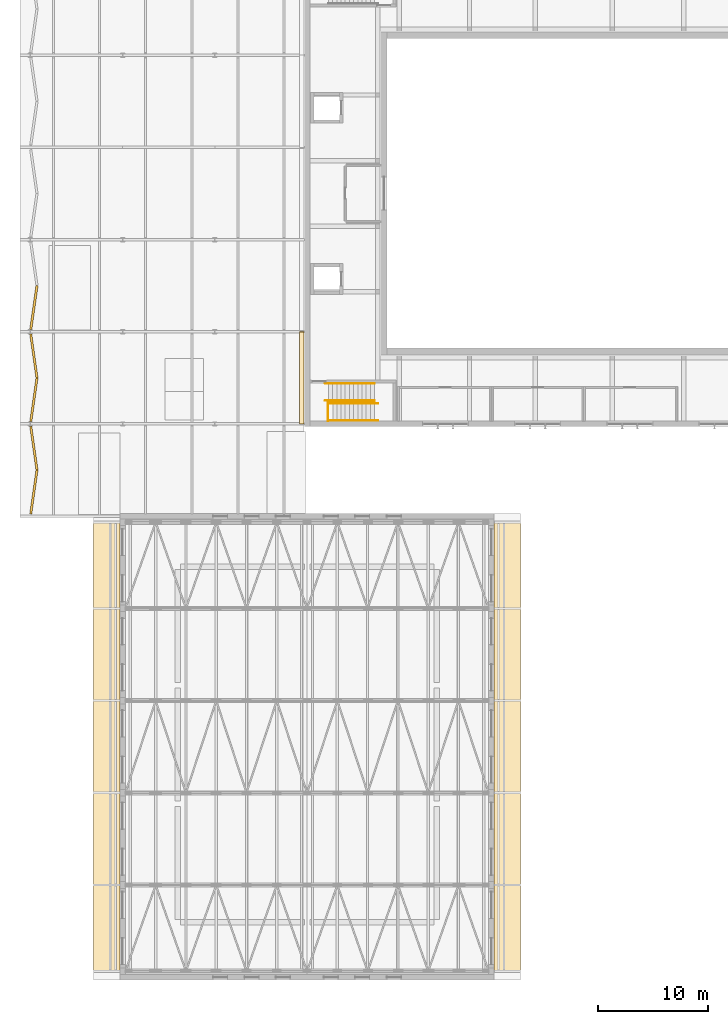
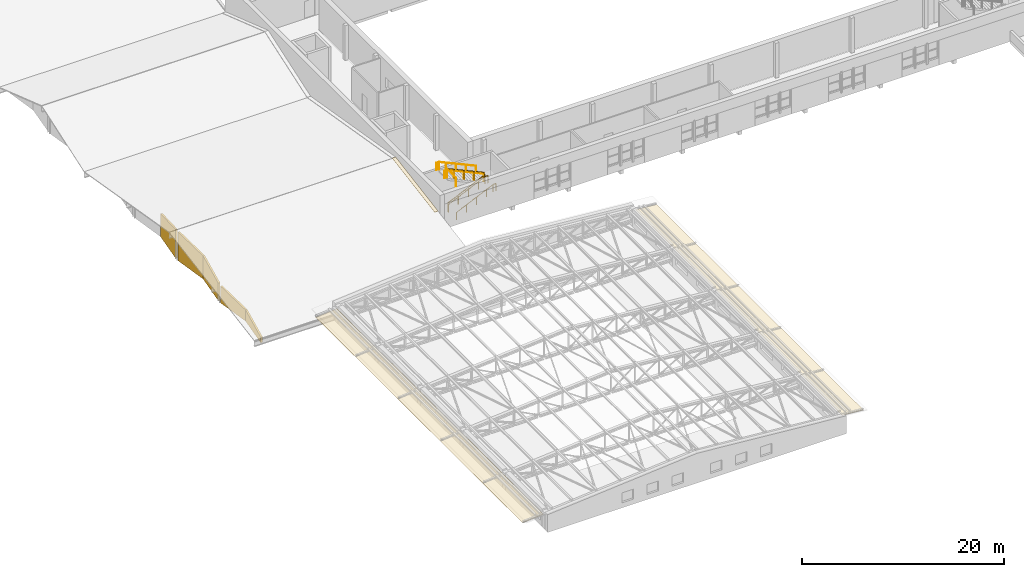
# One storey, part 54 of 60: 8 coverings, 7 railings.
"""IFC4 building model written with IfcOpenShell, lengths in metres."""

from ifc_helpers import new_model, si_unit, direction, frame, origin, origin_2d, place, context, subcontext, project, spatial, polyline, circle, outline, extrude, material, layer, layer_set, type_object, element, save


model = new_model("IFC4")

# Units and contexts
model_context = context("Model", 3, precision=1e-05, world=origin(), true_north=direction((0.0, 1.0)))
body_context = subcontext(model_context, "Body", "Model", "MODEL_VIEW")
ifc_project = project(units=[si_unit("LENGTHUNIT", "METRE"), si_unit("AREAUNIT", "SQUARE_METRE"), si_unit("VOLUMEUNIT", "CUBIC_METRE"), si_unit("PLANEANGLEUNIT", "RADIAN"), si_unit("MASSUNIT", "GRAM", prefix="KILO")], contexts=[model_context])

# Site, building, storey
site_placement = place(None, origin())
site = spatial("IfcSite", under=ifc_project, at=site_placement, CompositionType="ELEMENT")
building_placement = place(site_placement, origin())
building = spatial("IfcBuilding", under=site, at=building_placement, Name="Ljudholm Concert House", CompositionType="ELEMENT")
storey_placement = place(building_placement, frame((0.0, 0.0, 15.0)))
storey = spatial("IfcBuildingStorey", under=building, at=storey_placement, Name="L03", CompositionType="ELEMENT", Elevation=15.0)

# Coverings
ifc_material_1 = material(Name="Aluminium flashing", Category="aluminium")
ifc_layer_1 = layer(ifc_material_1, 0.0400390625)
ifc_layer_set_1 = layer_set([ifc_layer_1], Name="Aluminium flashing")
covering_type_1 = type_object("IfcCoveringType", Name="ALUMINIUM FLASHING ROOF COVERING 40", PredefinedType="ROOFING", material=ifc_layer_set_1)
covering_1_placement = place(storey_placement, frame((28.5, 54.39990234375, 2.2060546875), z_axis=(0.0, -0.168258440094, 0.985742916453), x_axis=(1.0, 0.0, 0.0)))
element("IfcCovering", 1, at=covering_1_placement, inside=storey, type_object=covering_type_1, Name="Wall flashing", PredefinedType="ROOFING", context=body_context, shape_type="SweptSolid", body=[
    extrude(outline(polyline([(0.0, 0.0), (0.39990234375, 0.0), (0.39990234375, 8.521640220963898), (0.0, 8.521640220963898), (0.0, 0.0)])), origin(), (0.0, 0.0, -1.0), 0.0400390625),
])
ifc_material_2 = material(Name="Aluminium panels with timber-grain PVDF finish", Category="aluminium")
ifc_layer_2 = layer(ifc_material_2, 0.199951171875)
ifc_layer_set_2 = layer_set([ifc_layer_2], Name="Aluminium panels with timber-grain PVDF finish")
covering_type_2 = type_object("IfcCoveringType", Name="ALUMINIUM PANELS WITH TIMBER-GRAIN PVDF FINISH CLADDING 200", PredefinedType="CLADDING", material=ifc_layer_set_2)
covering_2_placement = place(storey_placement, frame((4.031005859375, 46.2177734375, -15.0), z_axis=(0.0, 0.0, 1.0), x_axis=(0.141421356235, 0.989949493662, 0.0)))
element("IfcCovering", 2, at=covering_2_placement, inside=storey, type_object=covering_type_2, Name="Gable end cladding", PredefinedType="CLADDING", context=body_context, shape_type="SweptSolid", body=[
    extrude(outline(polyline([(0.0, 15.0), (4.022705078125, 15.0), (4.022705078125, 16.34765625), (0.0, 15.667724609375), (0.0, 15.0)])), frame((0.0, 0.10009765625, 0.0), z_axis=(0.0, -1.0, 0.0), x_axis=(1.0, 0.0, 0.0)), (0.0, 0.0, 1.0), 0.199951171875),
])
covering_3_placement = place(storey_placement, frame((4.031005859375, 54.18212890625, -15.0), z_axis=(0.0, 0.0, 1.0), x_axis=(0.141421356235, -0.989949493662, 0.0)))
element("IfcCovering", 3, at=covering_3_placement, inside=storey, type_object=covering_type_2, Name="Gable end cladding", PredefinedType="CLADDING", context=body_context, shape_type="SweptSolid", body=[
    extrude(outline(polyline([(0.0, 15.0), (4.022705078125, 15.0), (4.022705078125, 16.34765625), (0.0, 17.02734375), (0.0, 15.0)])), frame((0.0, 0.10009765625, 0.0), z_axis=(0.0, -1.0, 0.0), x_axis=(1.0, 0.0, 0.0)), (0.0, 0.0, 1.0), 0.199951171875),
])
covering_4_placement = place(storey_placement, frame((4.031005859375, 54.61767578125, -15.0), z_axis=(0.0, 0.0, 1.0), x_axis=(0.141421356235, 0.989949493662, 0.0)))
element("IfcCovering", 4, at=covering_4_placement, inside=storey, type_object=covering_type_2, Name="Gable end cladding", PredefinedType="CLADDING", context=body_context, shape_type="SweptSolid", body=[
    extrude(outline(polyline([(0.0, 15.0), (4.022705078125, 15.0), (4.022705078125, 17.781494140625), (0.0, 17.101806640625), (0.0, 15.0)])), frame((0.0, 0.10009765625, 0.0), z_axis=(0.0, -1.0, 0.0), x_axis=(1.0, 0.0, 0.0)), (0.0, 0.0, 1.0), 0.199951171875),
])
for number, where, z_axis, x_axis, name in (
    (5, (4.031005859375, 62.582275390625, -15.0), (0.0, 0.0, 1.0), (0.141421356235, -0.989949493662, 0.0), "Gable end cladding"),
    (6, (4.031005859375, 63.017822265625, -15.0), (0.0, 0.0, 1.0), (0.141421356235, 0.989949493662, 0.0), "Gable end cladding"),
):
    element("IfcCovering", number, at=place(storey_placement, frame(where, z_axis=z_axis, x_axis=x_axis)), inside=storey, type_object=covering_type_2, Name=name, PredefinedType="CLADDING", context=body_context, shape_type="SweptSolid", body=[
        extrude(outline(polyline([(0.0, 15.0), (4.022705078125, 15.0), (4.022705078125, 17.781494140625), (0.0, 18.46142578125), (0.0, 15.0)])), frame((0.0, 0.10009765625, 0.0), z_axis=(0.0, -1.0, 0.0), x_axis=(1.0, 0.0, 0.0)), (0.0, 0.0, 1.0), 0.199951171875),
    ])
ifc_material_3 = material(Name="Aluminium soffit panels, timber-grain PVDF finish", Category="aluminium")
ifc_layer_3 = layer(ifc_material_3, 0.030029296875)
ifc_layer_set_3 = layer_set([ifc_layer_3], Name="Aluminium soffit panels, timber-grain PVDF finish")
covering_type_3 = type_object("IfcCoveringType", Name="ALUMINIUM SOFFIT PANELS, TIMBER-GRAIN PVDF FINISH CEILING 30", PredefinedType="CEILING", material=ifc_layer_set_3)
for number, where, z_axis, x_axis, name in (
    (7, (9.75, 4.550048828125, 1.529296875), (-0.084236667304, 0.0, 0.996445775686), (0.996445775686, 0.0, 0.084236667304), "Eave soffit"),
    (8, (46.25, 4.550048828125, 1.732177734375), (0.084236667304, 0.0, 0.996445775686), (0.996445775686, 0.0, -0.084236667304), "Eave soffit"),
):
    element("IfcCovering", number, at=place(storey_placement, frame(where, z_axis=z_axis, x_axis=x_axis)), inside=storey, type_object=covering_type_3, Name=name, PredefinedType="CEILING", context=body_context, shape_type="SweptSolid", body=[
        extrude(outline(polyline([(0.0, 0.0), (2.4084625599409852, 0.0), (2.4084625599409852, 40.89990234375), (0.0, 40.89990234375), (0.0, 0.0)])), origin(), (0.0, 0.0, -1.0), 0.030029296875),
    ])

# Railings
ifc_material_4 = material(Name="Steel ASTM A36", Category="steel")
railing_type_1 = type_object("IfcRailingType", Name="GUARD 1100", PredefinedType="GUARDRAIL", material=ifc_material_4)
railing_1_placement = place(storey_placement, frame((31.14990234375, 56.324951171875, 0.175048828125)))
element("IfcRailing", 9, at=railing_1_placement, inside=storey, type_object=railing_type_1, Name="Guard", PredefinedType="GUARDRAIL", context=body_context, shape_type="SweptSolid", body=[
    extrude(circle(Radius=0.02490234375, at=origin_2d()), frame((0.0, 0.0, 1.0751953125), z_axis=(0.909101513409, 0.0, 0.416574649154), x_axis=(0.0, 1.0, 0.0)), (0.0, 0.0, 1.0), 1.260009765625),
    extrude(circle(Radius=0.02490234375, at=origin_2d()), frame((1.1455078125, 0.0, 1.60009765625), z_axis=(0.909028128292, 0.0, 0.416734762139), x_axis=(0.0, 1.0, 0.0)), (0.0, 0.0, 1.0), 1.26025390625),
    extrude(circle(Radius=0.02490234375, at=origin_2d()), frame((2.291015625, 0.0, 2.125), z_axis=(0.909101513409, 0.0, 0.416574649154), x_axis=(0.0, 1.0, 0.0)), (0.0, 0.0, 1.0), 1.260009765625),
    extrude(circle(Radius=0.02490234375, at=origin_2d()), frame((3.4365234375, 0.0, 2.64990234375), z_axis=(0.909028128292, 0.0, 0.416734762139), x_axis=(0.0, 1.0, 0.0)), (0.0, 0.0, 1.0), 0.840087890625),
    extrude(circle(Radius=0.02099609375, at=origin_2d()), origin(), (0.0, 0.0, 1.0), 1.050048828125),
    extrude(circle(Radius=0.02099609375, at=origin_2d()), frame((1.1455078125, 0.0, 0.52490234375)), (0.0, 0.0, 1.0), 1.050048828125),
    extrude(circle(Radius=0.02099609375, at=origin_2d()), frame((2.291015625, 0.0, 1.050048828125)), (0.0, 0.0, 1.0), 1.050048828125),
    extrude(circle(Radius=0.02099609375, at=origin_2d()), frame((3.4365234375, 0.0, 1.574951171875)), (0.0, 0.0, 1.0), 1.050048828125),
    extrude(circle(Radius=0.02099609375, at=origin_2d()), frame((4.2001953125, 0.0, 1.925048828125)), (0.0, 0.0, 1.0), 1.050048828125),
])
railing_2_placement = place(storey_placement, frame((35.35009765625, 56.47509765625, 2.27490234375)))
element("IfcRailing", 10, at=railing_2_placement, inside=storey, type_object=railing_type_1, Name="Guard", PredefinedType="GUARDRAIL", context=body_context, shape_type="SweptSolid", body=[
    extrude(circle(Radius=0.02490234375, at=origin_2d()), frame((0.0, 0.0, 1.0751953125), z_axis=(-0.909028128292, 0.0, 0.416734762139), x_axis=(0.0, -1.0, 0.0)), (0.0, 0.0, 1.0), 1.26025390625),
    extrude(circle(Radius=0.02490234375, at=origin_2d()), frame((-1.1455078125, 0.0, 1.60009765625), z_axis=(-0.909101513409, 0.0, 0.416574649154), x_axis=(0.0, -1.0, 0.0)), (0.0, 0.0, 1.0), 1.260009765625),
    extrude(circle(Radius=0.02490234375, at=origin_2d()), frame((-2.291015625, 0.0, 2.125), z_axis=(-0.909028128292, 0.0, 0.416734762139), x_axis=(0.0, -1.0, 0.0)), (0.0, 0.0, 1.0), 1.26025390625),
    extrude(circle(Radius=0.02490234375, at=origin_2d()), frame((-3.4365234375, 0.0, 2.650390625), z_axis=(-0.909138199833, 0.0, 0.416494578121), x_axis=(0.0, -1.0, 0.0)), (0.0, 0.0, 1.0), 0.840087890625),
    extrude(circle(Radius=0.02099609375, at=origin_2d()), origin(), (0.0, 0.0, 1.0), 1.050048828125),
    extrude(circle(Radius=0.02099609375, at=origin_2d()), frame((-1.1455078125, 0.0, 0.525146484375)), (0.0, 0.0, 1.0), 1.050048828125),
    extrude(circle(Radius=0.02099609375, at=origin_2d()), frame((-2.291015625, 0.0, 1.050048828125)), (0.0, 0.0, 1.0), 1.050048828125),
    extrude(circle(Radius=0.02099609375, at=origin_2d()), frame((-3.4365234375, 0.0, 1.5751953125)), (0.0, 0.0, 1.0), 1.050048828125),
    extrude(circle(Radius=0.02099609375, at=origin_2d()), frame((-4.2001953125, 0.0, 1.925048828125)), (0.0, 0.0, 1.0), 1.050048828125),
])
railing_3_placement = place(storey_placement, frame((31.10009765625, 54.64990234375, 4.199951171875)))
element("IfcRailing", 11, at=railing_3_placement, inside=storey, type_object=railing_type_1, Name="Guard", PredefinedType="GUARDRAIL", context=body_context, shape_type="SweptSolid", body=[
    extrude(circle(Radius=0.02490234375, at=origin_2d()), frame((0.0, 0.0, 1.0751953125), z_axis=(0.0, 1.0, 0.0), x_axis=(-1.0, 0.0, 0.0)), (0.0, 0.0, 1.0), 1.800048828125),
    extrude(circle(Radius=0.02099609375, at=origin_2d()), origin(), (0.0, 0.0, 1.0), 1.050048828125),
    extrude(circle(Radius=0.02099609375, at=origin_2d()), frame((0.0, 1.800048828125, 0.0)), (0.0, 0.0, 1.0), 1.050048828125),
])
ifc_material_5 = material(Name="Steel ASTM A36", Category="steel")
railing_type_2 = type_object("IfcRailingType", Name="HANDRAIL 900", PredefinedType="HANDRAIL", material=ifc_material_5)
for number, where, name in (
    (12, (31.14990234375, 56.27490234375, 0.175048828125), "Handrail"),
    (13, (31.14990234375, 54.699951171875, 0.175048828125), "Handrail"),
):
    element("IfcRailing", number, at=place(storey_placement, frame(where)), inside=storey, type_object=railing_type_2, Name=name, PredefinedType="HANDRAIL", context=body_context, shape_type="SweptSolid", body=[
        extrude(circle(Radius=0.0224609375, at=origin_2d()), frame((0.0, 0.0, 0.87744140625), z_axis=(0.909101513409, 0.0, 0.416574649154), x_axis=(0.0, 1.0, 0.0)), (0.0, 0.0, 1.0), 1.260009765625),
        extrude(circle(Radius=0.0224609375, at=origin_2d()), frame((1.1455078125, 0.0, 1.40234375), z_axis=(0.909028128292, 0.0, 0.416734762139), x_axis=(0.0, 1.0, 0.0)), (0.0, 0.0, 1.0), 1.26025390625),
        extrude(circle(Radius=0.0224609375, at=origin_2d()), frame((2.291015625, 0.0, 1.927490234375), z_axis=(0.909101513409, 0.0, 0.416574649154), x_axis=(0.0, 1.0, 0.0)), (0.0, 0.0, 1.0), 1.260009765625),
        extrude(circle(Radius=0.0224609375, at=origin_2d()), frame((3.4365234375, 0.0, 2.452392578125), z_axis=(0.909028128292, 0.0, 0.416734762139), x_axis=(0.0, 1.0, 0.0)), (0.0, 0.0, 1.0), 0.840087890625),
        extrude(circle(Radius=0.0224609375, at=origin_2d()), frame((4.2001953125, 0.0, 2.802490234375), z_axis=(1.0, 0.0, 0.0), x_axis=(0.0, 1.0, 0.0)), (0.0, 0.0, 1.0), 0.2998046875),
        extrude(circle(Radius=0.02099609375, at=origin_2d()), origin(), (0.0, 0.0, 1.0), 0.85498046875),
        extrude(circle(Radius=0.02099609375, at=origin_2d()), frame((1.1455078125, 0.0, 0.52490234375)), (0.0, 0.0, 1.0), 0.85498046875),
        extrude(circle(Radius=0.02099609375, at=origin_2d()), frame((2.291015625, 0.0, 1.050048828125)), (0.0, 0.0, 1.0), 0.85498046875),
        extrude(circle(Radius=0.02099609375, at=origin_2d()), frame((3.4365234375, 0.0, 1.574951171875)), (0.0, 0.0, 1.0), 0.85498046875),
        extrude(circle(Radius=0.02099609375, at=origin_2d()), frame((4.2001953125, 0.0, 1.925048828125)), (0.0, 0.0, 1.0), 0.85498046875),
        extrude(circle(Radius=0.02099609375, at=origin_2d()), frame((4.5, 0.0, 1.925048828125)), (0.0, 0.0, 1.0), 0.85498046875),
    ])
for number, where, name in (
    (14, (35.35009765625, 56.52490234375, 2.27490234375), "Handrail"),
    (15, (35.35009765625, 58.10009765625, 2.27490234375), "Handrail"),
):
    element("IfcRailing", number, at=place(storey_placement, frame(where)), inside=storey, type_object=railing_type_2, Name=name, PredefinedType="HANDRAIL", context=body_context, shape_type="SweptSolid", body=[
        extrude(circle(Radius=0.0224609375, at=origin_2d()), frame((0.0, 0.0, 0.87744140625), z_axis=(-0.909028128292, 0.0, 0.416734762139), x_axis=(0.0, -1.0, 0.0)), (0.0, 0.0, 1.0), 1.26025390625),
        extrude(circle(Radius=0.0224609375, at=origin_2d()), frame((-1.1455078125, 0.0, 1.402587890625), z_axis=(-0.909101513409, 0.0, 0.416574649154), x_axis=(0.0, -1.0, 0.0)), (0.0, 0.0, 1.0), 1.260009765625),
        extrude(circle(Radius=0.0224609375, at=origin_2d()), frame((-2.291015625, 0.0, 1.927490234375), z_axis=(-0.909028128292, 0.0, 0.416734762139), x_axis=(0.0, -1.0, 0.0)), (0.0, 0.0, 1.0), 1.26025390625),
        extrude(circle(Radius=0.0224609375, at=origin_2d()), frame((-3.4365234375, 0.0, 2.45263671875), z_axis=(-0.909138199833, 0.0, 0.416494578121), x_axis=(0.0, -1.0, 0.0)), (0.0, 0.0, 1.0), 0.840087890625),
        extrude(circle(Radius=0.0224609375, at=origin_2d()), frame((-4.2001953125, 0.0, 2.802490234375), z_axis=(-1.0, 0.0, 0.0), x_axis=(0.0, -1.0, 0.0)), (0.0, 0.0, 1.0), 0.2998046875),
        extrude(circle(Radius=0.02099609375, at=origin_2d()), origin(), (0.0, 0.0, 1.0), 0.85498046875),
        extrude(circle(Radius=0.02099609375, at=origin_2d()), frame((-1.1455078125, 0.0, 0.525146484375)), (0.0, 0.0, 1.0), 0.85498046875),
        extrude(circle(Radius=0.02099609375, at=origin_2d()), frame((-2.291015625, 0.0, 1.050048828125)), (0.0, 0.0, 1.0), 0.85498046875),
        extrude(circle(Radius=0.02099609375, at=origin_2d()), frame((-3.4365234375, 0.0, 1.5751953125)), (0.0, 0.0, 1.0), 0.85498046875),
        extrude(circle(Radius=0.02099609375, at=origin_2d()), frame((-4.2001953125, 0.0, 1.925048828125)), (0.0, 0.0, 1.0), 0.85498046875),
        extrude(circle(Radius=0.02099609375, at=origin_2d()), frame((-4.5, 0.0, 1.925048828125)), (0.0, 0.0, 1.0), 0.85498046875),
    ])

save(model, "model.ifc")
